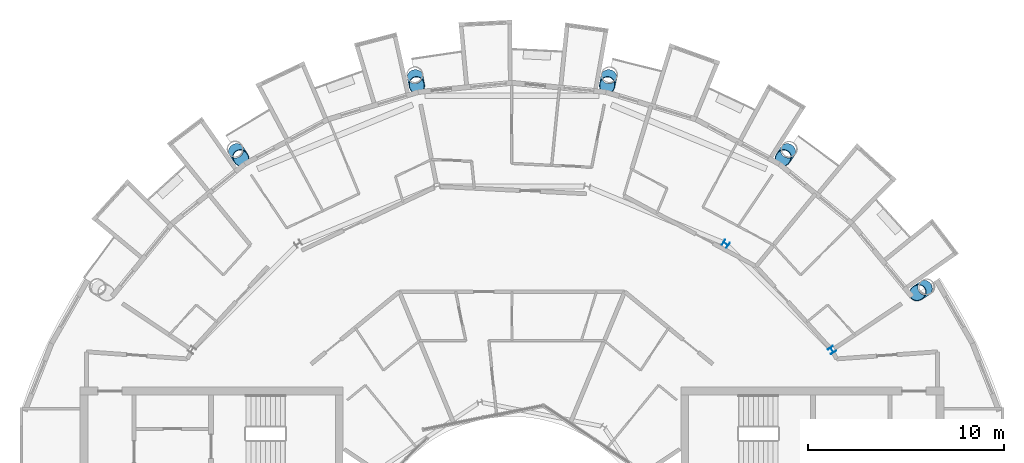
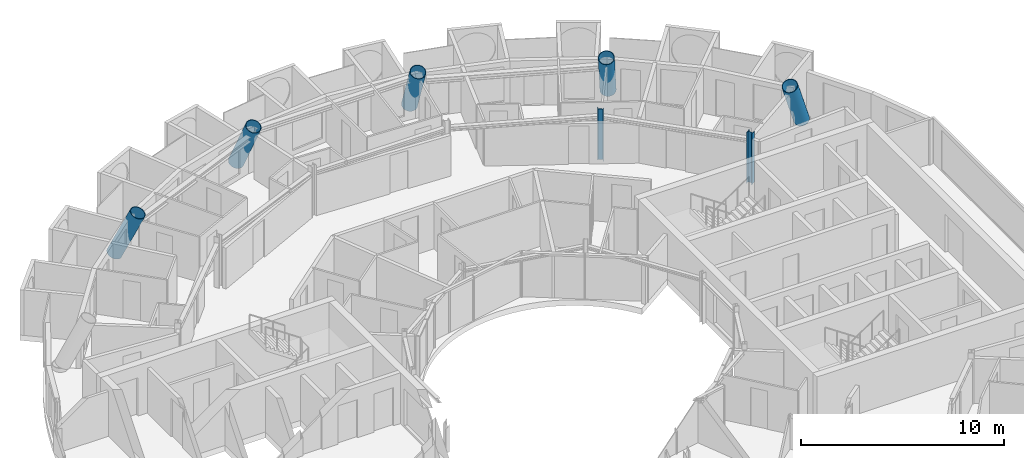
# One storey, part 5 of 27: 7 columns.
"""IFC4 building model written with IfcOpenShell, lengths in metres."""

from ifc_helpers import new_model, si_unit, direction, frame, origin, origin_2d, place, context, subcontext, project, spatial, hollow_circle, i_section, extrude, material, material_profile, profile_set, type_object, element, save


model = new_model("IFC4")

# Units and contexts
model_context = context("Model", 3, precision=1e-05, world=origin(), true_north=direction((0.0, 1.0)))
body_context = subcontext(model_context, "Body", "Model", "MODEL_VIEW")
ifc_project = project(units=[si_unit("LENGTHUNIT", "METRE"), si_unit("AREAUNIT", "SQUARE_METRE"), si_unit("VOLUMEUNIT", "CUBIC_METRE"), si_unit("PLANEANGLEUNIT", "RADIAN"), si_unit("MASSUNIT", "GRAM", prefix="KILO")], contexts=[model_context])

# Site, building, storey
site_placement = place(None, origin())
site = spatial("IfcSite", under=ifc_project, at=site_placement, CompositionType="ELEMENT")
building_placement = place(site_placement, origin())
building = spatial("IfcBuilding", under=site, at=building_placement, Name="Maasbend Ring Residences", CompositionType="ELEMENT")
storey_placement = place(building_placement, frame((0.0, 0.0, 243.199951171875)))
storey = spatial("IfcBuildingStorey", under=building, at=storey_placement, Name="L70", CompositionType="ELEMENT", Elevation=243.199951171875)

# Columns
ifc_material_1 = material(Name="Composite concrete-filled steel tube S460NH / C80/95", Category="concrete")
ifc_material_profile_1 = material_profile(ifc_material_1, hollow_circle(Radius=0.406494140625, WallThickness=0.030029296875, at=origin_2d()), Name="Composite tube column CHS 813x30")
ifc_profile_set_1 = profile_set([ifc_material_profile_1], Name="Composite concrete-filled steel tube S460NH / C80/95")
column_type_1 = type_object("IfcColumnType", Name="Composite tube column CHS 813x30", PredefinedType="COLUMN", material=ifc_profile_set_1)
for number, where, z_axis, x_axis, name in (
    (1, (21.027099609375, 14.0498046875, 0.241943359375), (-0.346875102267, -0.231750495433, 0.908828570905), (0.555530396269, -0.831496228988, 0.0), "Outer column R2"),
    (2, (14.0498046875, 21.027099609375, 0.241943359375), (-0.231750495433, -0.346875102267, 0.908828570905), (0.831496228988, -0.555530396269, 0.0), "Outer column R3"),
    (3, (4.93359375, 24.802978515625, 0.241943359375), (-0.081385783955, -0.409141348854, 0.908834259273), (0.980784129255, -0.195096109141, 0.0), "Outer column R4"),
    (4, (-4.93359375, 24.802978515625, 0.241943359375), (0.081385783955, -0.409141348854, 0.908834259273), (0.980784129255, 0.195096109141, 0.0), "Outer column R5"),
    (5, (-14.0498046875, 21.027099609375, 0.241943359375), (0.231750495433, -0.346875102267, 0.908828570905), (0.831496228988, 0.555530396269, 0.0), "Outer column R6"),
):
    element("IfcColumn", number, at=place(storey_placement, frame(where, z_axis=z_axis, x_axis=x_axis)), inside=storey, type_object=column_type_1, Name=name, PredefinedType="COLUMN", context=body_context, shape_type="SweptSolid", body=[
        extrude(hollow_circle(Radius=0.406494140625, WallThickness=0.030029296875, at=origin_2d()), origin(), (0.0, 0.0, 1.0), 3.08984375),
    ])
ifc_material_2 = material(Name="Steel S355J2", Category="steel")
ifc_material_profile_2 = material_profile(ifc_material_2, i_section(OverallWidth=0.300048828125, OverallDepth=0.300048828125, WebThickness=0.010986328125, FlangeThickness=0.01904296875, FilletRadius=0.027099609375, at=origin_2d()), Name="HEB 300")
ifc_profile_set_2 = profile_set([ifc_material_profile_2], Name="Steel S355J2")
column_type_2 = type_object("IfcColumnType", Name="Steel column HEB 300", PredefinedType="COLUMN", material=ifc_profile_set_2)
for number, where, z_axis, x_axis, name in (
    (6, (16.296875, 10.88916015625, 0.0), (0.0, 0.0, 1.0), (0.831469612303, 0.55557023302, 0.0), "Corridor ring column R2"),
    (7, (10.88916015625, 16.296875, 0.0), (0.0, 0.0, 1.0), (0.55557023302, 0.831469612303, 0.0), "Corridor ring column R3"),
):
    element("IfcColumn", number, at=place(storey_placement, frame(where, z_axis=z_axis, x_axis=x_axis)), inside=storey, type_object=column_type_2, Name=name, PredefinedType="COLUMN", context=body_context, shape_type="SweptSolid", body=[
        extrude(i_section(OverallWidth=0.300048828125, OverallDepth=0.300048828125, WebThickness=0.010986328125, FlangeThickness=0.01904296875, FilletRadius=0.027099609375, at=origin_2d()), origin(), (0.0, 0.0, 1.0), 3.050048828125),
    ])

save(model, "model.ifc")
